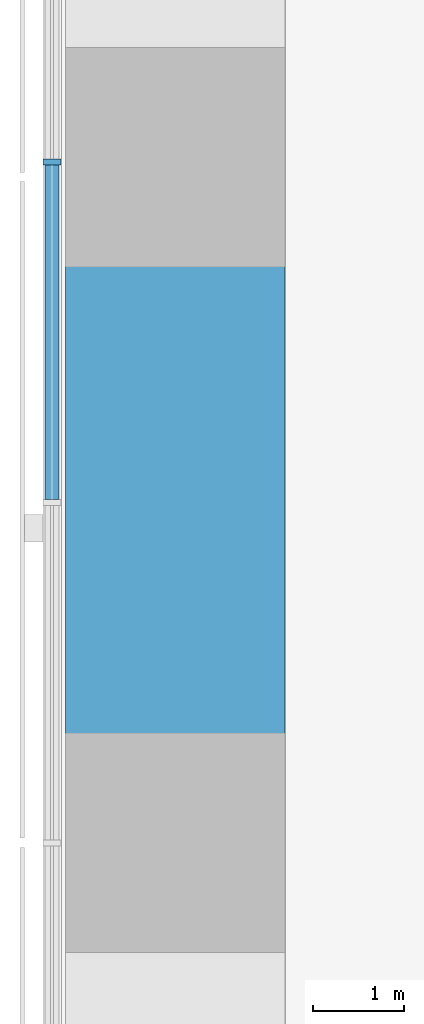
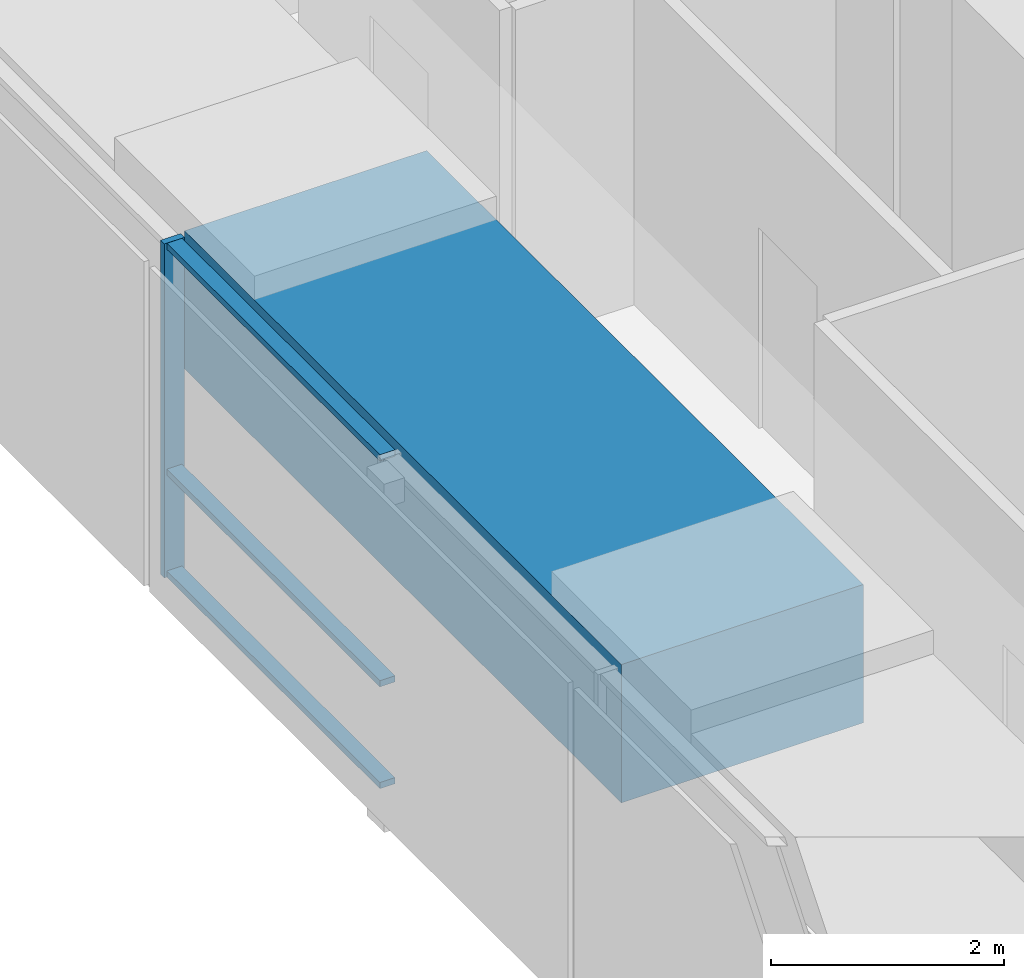
# One storey, part 3 of 19: 4 members, 1 beam, 1 element without a shape of its own.
"""IFC4 building model written with IfcOpenShell, lengths in metres."""

from ifc_helpers import new_model, si_unit, direction, frame, origin, origin_2d, place, context, subcontext, project, spatial, rectangle, extrude, material, material_profile, profile_set, type_object, element, aggregate, save


model = new_model("IFC4")

# Units and contexts
model_context = context("Model", 3, precision=1e-05, world=origin(), true_north=direction((0.0, 1.0)))
body_context = subcontext(model_context, "Body", "Model", "MODEL_VIEW")
ifc_project = project(units=[si_unit("LENGTHUNIT", "METRE"), si_unit("AREAUNIT", "SQUARE_METRE"), si_unit("VOLUMEUNIT", "CUBIC_METRE"), si_unit("PLANEANGLEUNIT", "RADIAN"), si_unit("MASSUNIT", "GRAM", prefix="KILO")], contexts=[model_context])

# Site, building, storey
site_placement = place(None, origin())
site = spatial("IfcSite", under=ifc_project, at=site_placement, CompositionType="ELEMENT")
building_placement = place(site_placement, origin())
building = spatial("IfcBuilding", under=site, at=building_placement, Name="Sheger Commons Tower", CompositionType="ELEMENT")
storey_placement = place(building_placement, frame((0.0, 0.0, 197.449951171875)))
storey = spatial("IfcBuildingStorey", under=building, at=storey_placement, Name="L50", CompositionType="ELEMENT", Elevation=197.449951171875)

# Curtain wall, member
ifc_material_1 = material(Name="Black aluminium curtain wall, dark tinted glazing", Category="aluminium")
curtain_wall_type = type_object("IfcCurtainWallType", Name="CURTAIN WALL CW4 GALLERY", PredefinedType="USERDEFINED", material=ifc_material_1)
curtain_wall_placement = place(storey_placement, origin())
curtain_wall = element("IfcCurtainWall", 1, at=curtain_wall_placement, inside=storey, type_object=curtain_wall_type, Name="Curtain Wall Cw4 Gallery W1 L50", ObjectType="UNITISED CURTAIN WALL", PredefinedType="USERDEFINED")
ifc_material_2 = material(Name="Black anodised aluminium", Category="aluminium")
ifc_material_profile_1 = material_profile(ifc_material_2, rectangle(XDim=0.199951171875, YDim=0.06494140625, at=origin_2d()), Name="AL 65x200")
ifc_profile_set_1 = profile_set([ifc_material_profile_1], Name="Black anodised aluminium")
member_type_1 = type_object("IfcMemberType", Name="MULLION AL 65x200", PredefinedType="MULLION", material=ifc_profile_set_1)
member_1_placement = place(storey_placement, frame((6.449951171875, 29.946044921875, 0.0), z_axis=(0.0, 0.0, 1.0), x_axis=(1.0, 0.0, 0.0)))
member_1 = element("IfcMember", 2, at=member_1_placement, type_object=member_type_1, Name="CW4 mullion 9", PredefinedType="MULLION", context=body_context, shape_type="SweptSolid", body=[
    extrude(rectangle(XDim=0.199951171875, YDim=0.06494140625, at=origin_2d()), origin(), (0.0, 0.0, 1.0), 3.5),
])

# Beam
ifc_material_3 = material(Name="Concrete C50/60", Category="concrete")
ifc_material_profile_2 = material_profile(ifc_material_3, rectangle(XDim=2.39990234375, YDim=1.449951171875, at=origin_2d()), Name="RC 2400x1450")
ifc_profile_set_2 = profile_set([ifc_material_profile_2], Name="Concrete C50/60")
beam_type = type_object("IfcBeamType", Name="SPANDREL RC 2400x1450", PredefinedType="SPANDREL", material=ifc_profile_set_2)
beam_placement = place(storey_placement, frame((7.800048828125, 30.0, 2.775146484375), z_axis=(0.0, -1.0, 0.0), x_axis=(1.0, 0.0, 0.0)))
element("IfcBeam", 3, at=beam_placement, inside=storey, type_object=beam_type, Name="Beam 2/E-2/D under L51", PredefinedType="SPANDREL", context=body_context, shape_type="SweptSolid", body=[
    extrude(rectangle(XDim=2.39990234375, YDim=1.449951171875, at=origin_2d()), origin(), (0.0, 0.0, 1.0), 7.5),
])

# Member
ifc_material_4 = material(Name="Black anodised aluminium", Category="aluminium")
ifc_material_profile_3 = material_profile(ifc_material_4, rectangle(XDim=0.14990234375, YDim=0.06494140625, at=origin_2d()), Name="AL 65x150")
ifc_profile_set_3 = profile_set([ifc_material_profile_3], Name="Black anodised aluminium")
member_type_2 = type_object("IfcMemberType", Name="TRANSOM AL 65x150", PredefinedType="USERDEFINED", material=ifc_profile_set_3)
member_2_placement = place(storey_placement, frame((6.449951171875, 29.91357421875, 0.032470703125), z_axis=(0.0, -1.0, 0.0), x_axis=(1.0, 0.0, 0.0)))
member_2 = element("IfcMember", 4, at=member_2_placement, type_object=member_type_2, Name="CW4 transom 9.1", ObjectType="TRANSOM", PredefinedType="USERDEFINED", context=body_context, shape_type="SweptSolid", body=[
    extrude(rectangle(XDim=0.14990234375, YDim=0.06494140625, at=origin_2d()), origin(), (0.0, 0.0, 1.0), 3.657958984375),
])

member_3_placement = place(storey_placement, frame((6.449951171875, 29.91357421875, 1.10009765625), z_axis=(0.0, -1.0, 0.0), x_axis=(1.0, 0.0, 0.0)))
member_3 = element("IfcMember", 5, at=member_3_placement, type_object=member_type_2, Name="CW4 transom 9.2", ObjectType="TRANSOM", PredefinedType="USERDEFINED", context=body_context, shape_type="SweptSolid", body=[
    extrude(rectangle(XDim=0.14990234375, YDim=0.06494140625, at=origin_2d()), origin(), (0.0, 0.0, 1.0), 3.657958984375),
])

member_4_placement = place(storey_placement, frame((6.449951171875, 29.91357421875, 3.467529296875), z_axis=(0.0, -1.0, 0.0), x_axis=(1.0, 0.0, 0.0)))
member_4 = element("IfcMember", 6, at=member_4_placement, type_object=member_type_2, Name="CW4 transom 9.3", ObjectType="TRANSOM", PredefinedType="USERDEFINED", context=body_context, shape_type="SweptSolid", body=[
    extrude(rectangle(XDim=0.14990234375, YDim=0.06494140625, at=origin_2d()), origin(), (0.0, 0.0, 1.0), 3.657958984375),
])

aggregate(curtain_wall, [member_1, member_2, member_3, member_4])

save(model, "model.ifc")
